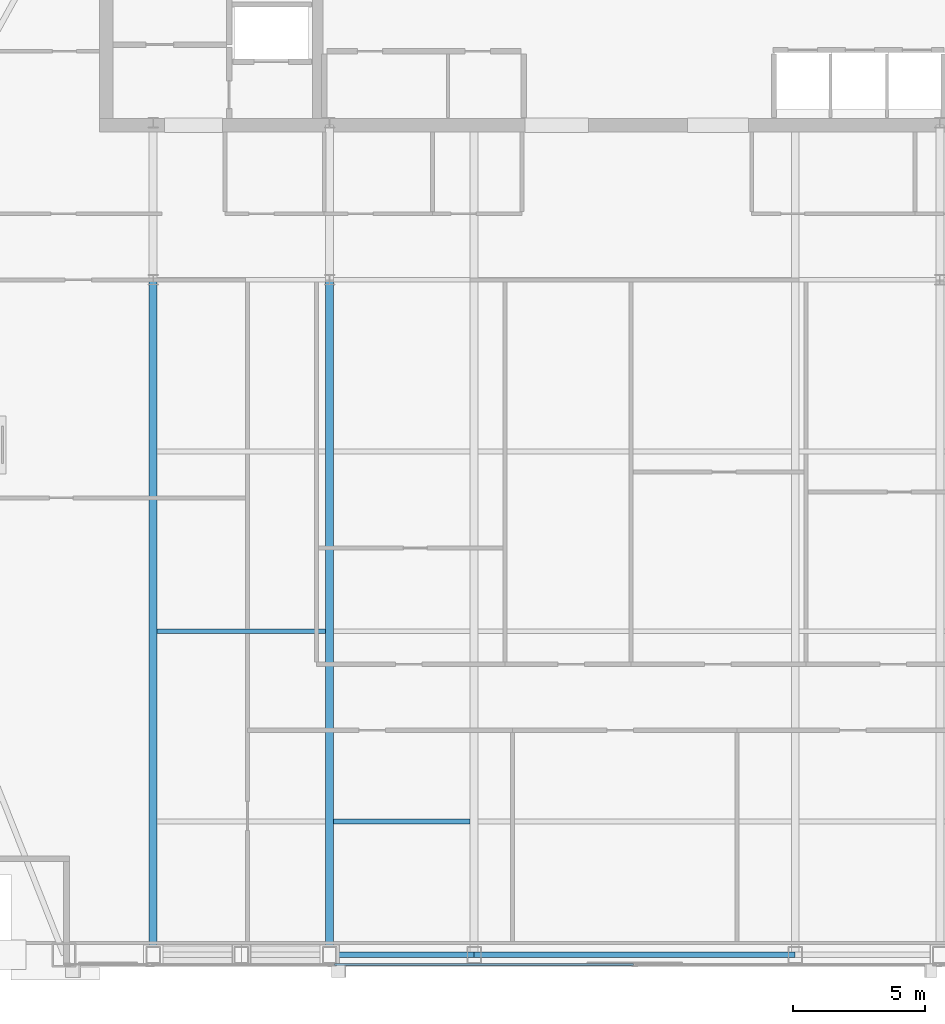
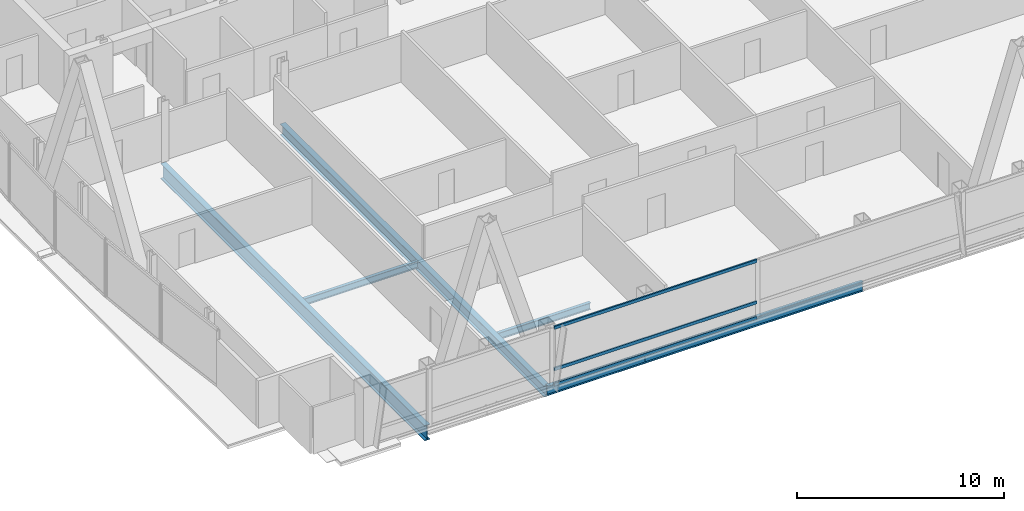
# One storey, part 6 of 28: 6 beams, 3 members, 1 element without a shape of its own.
"""IFC4 building model written with IfcOpenShell, lengths in metres."""

from ifc_helpers import new_model, si_unit, direction, frame, origin, origin_2d, place, context, subcontext, project, spatial, hollow_rectangle, i_section, extrude, material, material_profile, profile_set, type_object, element, aggregate, save


model = new_model("IFC4")

# Units and contexts
model_context = context("Model", 3, precision=1e-05, world=origin(), true_north=direction((0.0, 1.0)))
body_context = subcontext(model_context, "Body", "Model", "MODEL_VIEW")
ifc_project = project(units=[si_unit("LENGTHUNIT", "METRE"), si_unit("AREAUNIT", "SQUARE_METRE"), si_unit("VOLUMEUNIT", "CUBIC_METRE"), si_unit("PLANEANGLEUNIT", "RADIAN"), si_unit("MASSUNIT", "GRAM", prefix="KILO")], contexts=[model_context])

# Site, building, storey
site_placement = place(None, origin())
site = spatial("IfcSite", under=ifc_project, at=site_placement, CompositionType="ELEMENT")
building_placement = place(site_placement, origin())
building = spatial("IfcBuilding", under=site, at=building_placement, Name="Khoronbel Lancet Exchange", CompositionType="ELEMENT")
storey_placement = place(building_placement, frame((0.0, 0.0, 291.39990234375)))
storey = spatial("IfcBuildingStorey", under=building, at=storey_placement, Name="L75", CompositionType="ELEMENT", Elevation=291.39990234375)

# Beams
ifc_material_1 = material(Name="Steel S355", Category="steel")
ifc_material_profile_1 = material_profile(ifc_material_1, i_section(OverallWidth=0.300048828125, OverallDepth=0.89990234375, WebThickness=0.0185546875, FlangeThickness=0.034912109375, at=origin_2d()), Name="HEB 900")
ifc_profile_set_1 = profile_set([ifc_material_profile_1], Name="Steel S355")
beam_type_1 = type_object("IfcBeamType", Name="BM-BG1", PredefinedType="BEAM", material=ifc_profile_set_1)
beam_1_placement = place(storey_placement, frame((18.22509765625, 10.14990234375, -0.60986328125), z_axis=(0.0, 1.0, 0.0), x_axis=(-1.0, 0.0, 0.0)))
element("IfcBeam", 1, at=beam_1_placement, inside=storey, type_object=beam_type_1, Name="Level L75 south primary girder GS1", PredefinedType="BEAM", context=body_context, shape_type="SweptSolid", body=[
    extrude(i_section(OverallWidth=0.300048828125, OverallDepth=0.89990234375, WebThickness=0.0185546875, FlangeThickness=0.034912109375, at=origin_2d()), origin(), (0.0, 0.0, 1.0), 25.550048828125),
])
ifc_material_profile_2 = material_profile(ifc_material_1, i_section(OverallWidth=0.300048828125, OverallDepth=0.64990234375, WebThickness=0.01611328125, FlangeThickness=0.031005859375, at=origin_2d()), Name="HEB 650")
ifc_profile_set_2 = profile_set([ifc_material_profile_2], Name="Steel S355")
beam_type_2 = type_object("IfcBeamType", Name="BM-BG4", PredefinedType="BEAM", material=ifc_profile_set_2)
beam_2_placement = place(storey_placement, frame((24.89990234375, 10.14990234375, -0.48486328125), z_axis=(0.0, 1.0, 0.0), x_axis=(-1.0, 0.0, 0.0)))
element("IfcBeam", 2, at=beam_2_placement, inside=storey, type_object=beam_type_2, Name="Level L75 south primary girder GS2", PredefinedType="BEAM", context=body_context, shape_type="SweptSolid", body=[
    extrude(i_section(OverallWidth=0.300048828125, OverallDepth=0.64990234375, WebThickness=0.01611328125, FlangeThickness=0.031005859375, at=origin_2d()), origin(), (0.0, 0.0, 1.0), 25.550048828125),
])
ifc_material_profile_3 = material_profile(ifc_material_1, i_section(OverallWidth=0.179931640625, OverallDepth=0.39990234375, WebThickness=0.008544921875, FlangeThickness=0.013427734375, at=origin_2d()), Name="IPE 400")
ifc_profile_set_3 = profile_set([ifc_material_profile_3], Name="Steel S355")
beam_type_3 = type_object("IfcBeamType", Name="BM-BJ5", PredefinedType="JOIST", material=ifc_profile_set_3)
beam_3_placement = place(storey_placement, frame((25.050048828125, 15.199951171875, -0.35986328125), z_axis=(1.0, 0.0, 0.0), x_axis=(0.0, 1.0, 0.0)))
element("IfcBeam", 3, at=beam_3_placement, inside=storey, type_object=beam_type_3, Name="Level L75 secondary composite joist J02", PredefinedType="JOIST", context=body_context, shape_type="SweptSolid", body=[
    extrude(i_section(OverallWidth=0.179931640625, OverallDepth=0.39990234375, WebThickness=0.008544921875, FlangeThickness=0.013427734375, at=origin_2d()), origin(), (0.0, 0.0, 1.0), 5.175048828125),
])
beam_4_placement = place(storey_placement, frame((18.375, 22.39990234375, -0.35986328125), z_axis=(1.0, 0.0, 0.0), x_axis=(0.0, 1.0, 0.0)))
element("IfcBeam", 4, at=beam_4_placement, inside=storey, type_object=beam_type_3, Name="Level L75 secondary composite joist J06", PredefinedType="JOIST", context=body_context, shape_type="SweptSolid", body=[
    extrude(i_section(OverallWidth=0.179931640625, OverallDepth=0.39990234375, WebThickness=0.008544921875, FlangeThickness=0.013427734375, at=origin_2d()), origin(), (0.0, 0.0, 1.0), 6.375),
])
ifc_material_profile_4 = material_profile(ifc_material_1, i_section(OverallWidth=0.2099609375, OverallDepth=0.550048828125, WebThickness=0.010986328125, FlangeThickness=0.01708984375, at=origin_2d()), Name="IPE 550")
ifc_profile_set_4 = profile_set([ifc_material_profile_4], Name="Steel S355")
beam_type_4 = type_object("IfcBeamType", Name="BM-BSP3", PredefinedType="SPANDREL", material=ifc_profile_set_4)
beam_5_placement = place(storey_placement, frame((24.89990234375, 10.14990234375, -0.434814453125), z_axis=(1.0, 0.0, 0.0), x_axis=(0.0, 1.0, 0.0)))
element("IfcBeam", 5, at=beam_5_placement, inside=storey, type_object=beam_type_4, Name="Level L75 perimeter spandrel beam SP03", PredefinedType="SPANDREL", context=body_context, shape_type="SweptSolid", body=[
    extrude(i_section(OverallWidth=0.2099609375, OverallDepth=0.550048828125, WebThickness=0.010986328125, FlangeThickness=0.01708984375, at=origin_2d()), origin(), (0.0, 0.0, 1.0), 5.47509765625),
])
beam_6_placement = place(storey_placement, frame((30.375, 10.14990234375, -0.434814453125), z_axis=(1.0, 0.0, 0.0), x_axis=(0.0, 1.0, 0.0)))
element("IfcBeam", 6, at=beam_6_placement, inside=storey, type_object=beam_type_4, Name="Level L75 perimeter spandrel beam SP04", PredefinedType="SPANDREL", context=body_context, shape_type="SweptSolid", body=[
    extrude(i_section(OverallWidth=0.2099609375, OverallDepth=0.550048828125, WebThickness=0.010986328125, FlangeThickness=0.01708984375, at=origin_2d()), origin(), (0.0, 0.0, 1.0), 12.14990234375),
])

# Curtain wall, members
ifc_material_2 = material(Name="Low-E Solar Control Insulating Glass", Category="glass")
curtain_wall_type = type_object("IfcCurtainWallType", Name="CW-3", PredefinedType="NOTDEFINED", material=ifc_material_2)
curtain_wall_placement = place(storey_placement, origin())
curtain_wall = element("IfcCurtainWall", 7, at=curtain_wall_placement, inside=storey, type_object=curtain_wall_type, Name="Unitised curtain wall CW-L75-SCV", PredefinedType="NOTDEFINED")
ifc_material_3 = material(Name="Bronze-Anodised Aluminium 6063-T6", Category="aluminium")
ifc_material_profile_5 = material_profile(ifc_material_3, hollow_rectangle(XDim=0.0849609375, YDim=0.179931640625, WallThickness=0.0048828125, at=origin_2d()), Name="ALU TRANSOM 85x180")
ifc_profile_set_5 = profile_set([ifc_material_profile_5], Name="Bronze-Anodised Aluminium 6063-T6")
member_type = type_object("IfcMemberType", Name="MEM-CWT1", PredefinedType="USERDEFINED", material=ifc_profile_set_5)
member_1_placement = place(storey_placement, frame((25.0849609375, 9.7900390625, 0.04248046875), z_axis=(1.0, 0.0, 0.0), x_axis=(0.0, 1.0, 0.0)))
member_1 = element("IfcMember", 8, at=member_1_placement, type_object=member_type, Name="CW3 transom 1.1", ObjectType="TRANSOM", PredefinedType="USERDEFINED", context=body_context, shape_type="SweptSolid", body=[
    extrude(hollow_rectangle(XDim=0.0849609375, YDim=0.179931640625, WallThickness=0.0048828125, at=origin_2d()), origin(), (0.0, 0.0, 1.0), 11.322509765625),
])
member_2_placement = place(storey_placement, frame((25.0849609375, 9.7900390625, 0.9501953125), z_axis=(1.0, 0.0, 0.0), x_axis=(0.0, 1.0, 0.0)))
member_2 = element("IfcMember", 9, at=member_2_placement, type_object=member_type, Name="CW3 transom 1.2", ObjectType="TRANSOM", PredefinedType="USERDEFINED", context=body_context, shape_type="SweptSolid", body=[
    extrude(hollow_rectangle(XDim=0.0849609375, YDim=0.179931640625, WallThickness=0.0048828125, at=origin_2d()), origin(), (0.0, 0.0, 1.0), 11.322509765625),
])
member_3_placement = place(storey_placement, frame((25.0849609375, 9.7900390625, 3.397705078125), z_axis=(1.0, 0.0, 0.0), x_axis=(0.0, 1.0, 0.0)))
member_3 = element("IfcMember", 10, at=member_3_placement, type_object=member_type, Name="CW3 transom 1.3", ObjectType="TRANSOM", PredefinedType="USERDEFINED", context=body_context, shape_type="SweptSolid", body=[
    extrude(hollow_rectangle(XDim=0.0849609375, YDim=0.179931640625, WallThickness=0.0048828125, at=origin_2d()), origin(), (0.0, 0.0, 1.0), 11.322509765625),
])
aggregate(curtain_wall, [member_1, member_2, member_3])

save(model, "model.ifc")
